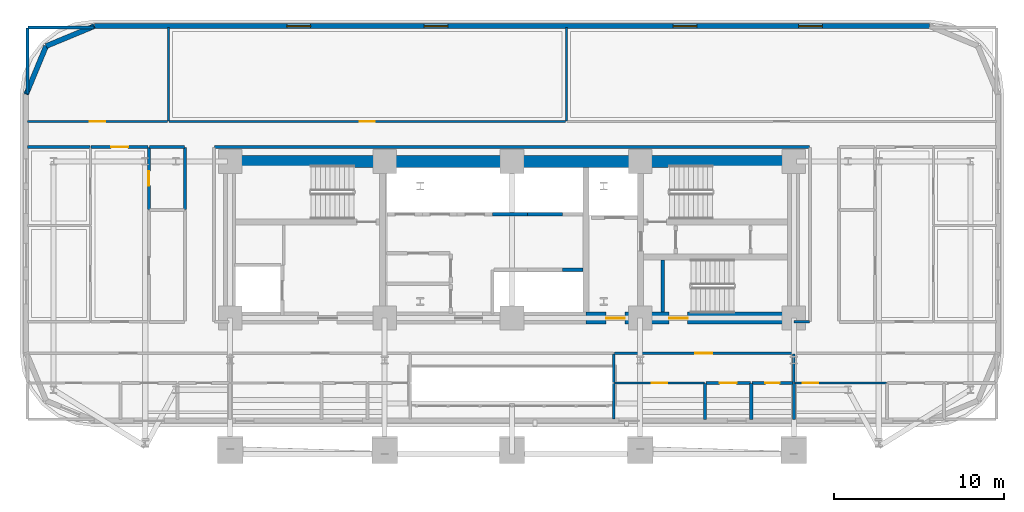
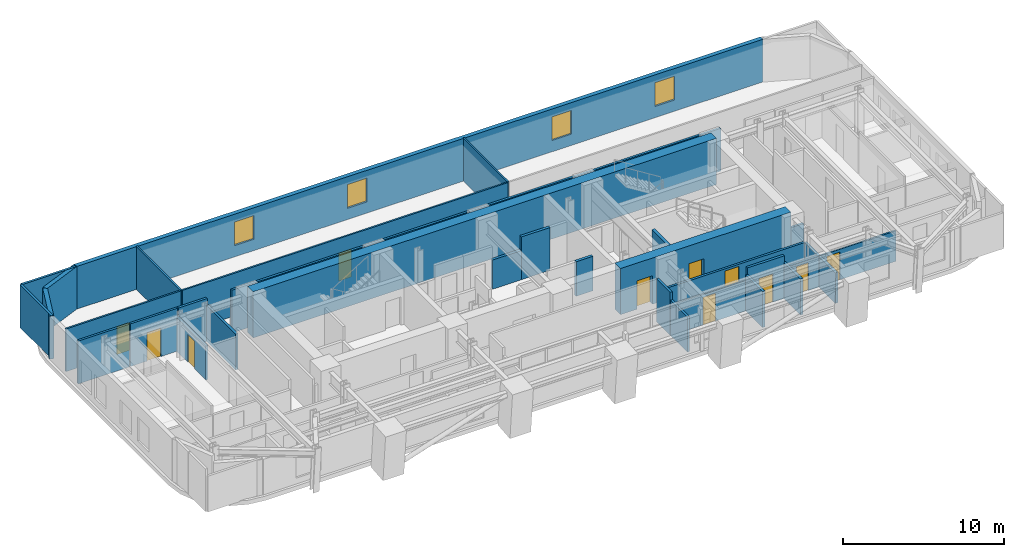
# One storey, part 9 of 15: 33 walls, 11 doors, 4 windows, 15 openings.
"""IFC4 building model written with IfcOpenShell, lengths in metres."""

from ifc_helpers import new_model, si_unit, direction, frame, frame_2d, origin, place, context, subcontext, project, spatial, rectangle, extrude, material, layer, layer_set, type_object, element, fill, save


model = new_model("IFC4")

# Units and contexts
model_context = context("Model", 3, precision=1e-05, world=origin(), true_north=direction((0.0, 1.0)))
body_context = subcontext(model_context, "Body", "Model", "MODEL_VIEW")
ifc_project = project(units=[si_unit("LENGTHUNIT", "METRE"), si_unit("AREAUNIT", "SQUARE_METRE"), si_unit("VOLUMEUNIT", "CUBIC_METRE"), si_unit("PLANEANGLEUNIT", "RADIAN"), si_unit("MASSUNIT", "GRAM", prefix="KILO")], contexts=[model_context])

# Site, building, storey
site_placement = place(None, origin())
site = spatial("IfcSite", under=ifc_project, at=site_placement, CompositionType="ELEMENT")
building_placement = place(site_placement, origin())
building = spatial("IfcBuilding", under=site, at=building_placement, Name="Zarnavel Station Tower", CompositionType="ELEMENT")
storey_placement = place(building_placement, frame((0.0, 0.0, 67.5)))
storey = spatial("IfcBuildingStorey", under=building, at=storey_placement, Name="L18", CompositionType="ELEMENT", Elevation=67.5)

# Wall
ifc_material_1 = material(Name="Concrete C60/75", Category="concrete")
ifc_layer_1 = layer(ifc_material_1, 0.699951171875)
ifc_layer_set_1 = layer_set([ifc_layer_1], Name="CW_700")
wall_type_1 = type_object("IfcWallType", Name="CW_700", PredefinedType="SHEAR", material=ifc_layer_set_1)
wall_1_placement = place(storey_placement, frame((12.14990234375, 37.050048828125, 0.0), z_axis=(0.0, 0.0, 1.0), x_axis=(1.0, 0.0, 0.0)))
element("IfcWall", 1, at=wall_1_placement, inside=storey, type_object=wall_type_1, Name="L18 Rear Core Shear Wall N", PredefinedType="SHEAR", context=body_context, shape_type="SweptSolid", body=[
    extrude(rectangle(XDim=33.22998046875, YDim=0.699951171875, at=frame_2d((16.614990234375, 0.0))), origin(), (0.0, 0.0, 1.0), 3.5),
])

# Wall, openings, doors
wall_2_placement = place(storey_placement, frame((45.3798828125, 27.820068359375, 0.0), z_axis=(0.0, 0.0, 1.0), x_axis=(-1.0, 0.0, 0.0)))
wall_2 = element("IfcWall", 2, at=wall_2_placement, inside=storey, type_object=wall_type_1, Name="L18 Rear Core Shear Wall S-E", PredefinedType="SHEAR", context=body_context, shape_type="SweptSolid", body=[
    extrude(rectangle(XDim=12.22998046875, YDim=0.699951171875, at=frame_2d((6.114990234375, 0.0))), origin(), (0.0, 0.0, 1.0), 3.5),
])
opening_1_placement = place(wall_2_placement, frame((9.929931640625, 0.0, 0.0)))
opening_1 = element("IfcOpeningElement", 3, at=opening_1_placement, cuts=wall_2, Name="Opening FD01", PredefinedType="OPENING", context=body_context, shape_type="SweptSolid", body=[
    extrude(rectangle(XDim=1.10009765625, YDim=2.14990234375, at=frame_2d((0.550048828125, 1.074951171875))), frame((0.0, 0.35986328125, 0.0), z_axis=(0.0, -1.0, 0.0), x_axis=(1.0, 0.0, 0.0)), (0.0, 0.0, 1.0), 0.719970703125),
])
opening_2_placement = place(wall_2_placement, frame((6.22998046875, 0.0, 0.0)))
opening_2 = element("IfcOpeningElement", 4, at=opening_2_placement, cuts=wall_2, Name="Opening FD01", PredefinedType="OPENING", context=body_context, shape_type="SweptSolid", body=[
    extrude(rectangle(XDim=1.10009765625, YDim=2.14990234375, at=frame_2d((0.550048828125, 1.074951171875))), frame((0.0, 0.35986328125, 0.0), z_axis=(0.0, -1.0, 0.0), x_axis=(1.0, 0.0, 0.0)), (0.0, 0.0, 1.0), 0.719970703125),
])
ifc_material_2 = material(Name="Painted Galvanised Steel and Hardwood Leaf", Category="steel")
door_type_1 = type_object("IfcDoorType", Name="ID_STAIR_1100", OperationType="NOTDEFINED", PredefinedType="DOOR", material=ifc_material_2)
door_1_placement = place(opening_1_placement, origin())
door_1 = element("IfcDoor", 5, at=door_1_placement, inside=storey, type_object=door_type_1, Name="L18 East Firefighting Lobby Door", OperationType="SINGLE_SWING_LEFT", OverallHeight=2.14990234375, OverallWidth=1.10009765625, PredefinedType="DOOR", context=body_context, shape_type="SweptSolid", body=[
    extrude(rectangle(XDim=1.10009765625, YDim=2.14990234375, at=frame_2d((0.550048828125, 1.074951171875))), frame((0.0, 0.02490234375, 0.0), z_axis=(0.0, -1.0, 0.0), x_axis=(1.0, 0.0, 0.0)), (0.0, 0.0, 1.0), 0.050048828125),
])
fill(opening_1, door_1)
door_2_placement = place(opening_2_placement, origin())
door_2 = element("IfcDoor", 6, at=door_2_placement, inside=storey, type_object=door_type_1, Name="L18 Stair ST3 Corridor Fire Door", OperationType="SINGLE_SWING_RIGHT", OverallHeight=2.14990234375, OverallWidth=1.10009765625, PredefinedType="DOOR", context=body_context, shape_type="SweptSolid", body=[
    extrude(rectangle(XDim=1.10009765625, YDim=2.14990234375, at=frame_2d((0.550048828125, 1.074951171875))), frame((0.0, 0.02490234375, 0.0), z_axis=(0.0, -1.0, 0.0), x_axis=(1.0, 0.0, 0.0)), (0.0, 0.0, 1.0), 0.050048828125),
])
fill(opening_2, door_2)

# Wall, openings, windows
ifc_material_3 = material(Name="Precast concrete C45/55 (Dark Basalt Finish)", Category="masonry")
ifc_layer_2 = layer(ifc_material_3, 0.300048828125)
ifc_layer_set_2 = layer_set([ifc_layer_2], Name="EW_BASALT_300")
wall_type_2 = type_object("IfcWallType", Name="EW_BASALT_300", PredefinedType="SOLIDWALL", material=ifc_layer_set_2)
wall_3_placement = place(storey_placement, frame((4.199951171875, 45.02001953125, 0.0), z_axis=(0.0, 0.0, 1.0), x_axis=(1.0, 0.0, 0.0)))
wall_3 = element("IfcWall", 7, at=wall_3_placement, inside=storey, type_object=wall_type_2, Name="L18 Exterior Basalt Masonry Frame Wall 06", PredefinedType="SOLIDWALL", context=body_context, shape_type="SweptSolid", body=[
    extrude(rectangle(XDim=49.199951171875, YDim=0.300048828125, at=frame_2d((24.60009765625, 0.0))), origin(), (0.0, 0.0, 1.0), 3.239990234375),
])
opening_3_placement = place(wall_3_placement, frame((11.340087890625, 0.0, 0.85009765625)))
opening_3 = element("IfcOpeningElement", 8, at=opening_3_placement, cuts=wall_3, Name="Opening WN01", PredefinedType="OPENING", context=body_context, shape_type="SweptSolid", body=[
    extrude(rectangle(XDim=1.39990234375, YDim=1.800048828125, at=frame_2d((0.699951171875, 0.89990234375))), frame((0.0, 0.159912109375, 0.0), z_axis=(0.0, -1.0, 0.0), x_axis=(1.0, 0.0, 0.0)), (0.0, 0.0, 1.0), 0.320068359375),
])
opening_4_placement = place(wall_3_placement, frame((19.419921875, 0.0, 0.85009765625)))
opening_4 = element("IfcOpeningElement", 9, at=opening_4_placement, cuts=wall_3, Name="Opening WN01", PredefinedType="OPENING", context=body_context, shape_type="SweptSolid", body=[
    extrude(rectangle(XDim=1.39990234375, YDim=1.800048828125, at=frame_2d((0.699951171875, 0.89990234375))), frame((0.0, 0.159912109375, 0.0), z_axis=(0.0, -1.0, 0.0), x_axis=(1.0, 0.0, 0.0)), (0.0, 0.0, 1.0), 0.320068359375),
])
opening_5_placement = place(wall_3_placement, frame((34.09326171875, 0.0, 0.85009765625)))
opening_5 = element("IfcOpeningElement", 10, at=opening_5_placement, cuts=wall_3, Name="Opening WN01", PredefinedType="OPENING", context=body_context, shape_type="SweptSolid", body=[
    extrude(rectangle(XDim=1.39990234375, YDim=1.800048828125, at=frame_2d((0.699951171875, 0.89990234375))), frame((0.0, 0.159912109375, 0.0), z_axis=(0.0, -1.0, 0.0), x_axis=(1.0, 0.0, 0.0)), (0.0, 0.0, 1.0), 0.320068359375),
])
opening_6_placement = place(wall_3_placement, frame((41.48681640625, 0.0, 0.85009765625)))
opening_6 = element("IfcOpeningElement", 11, at=opening_6_placement, cuts=wall_3, Name="Opening WN01", PredefinedType="OPENING", context=body_context, shape_type="SweptSolid", body=[
    extrude(rectangle(XDim=1.39990234375, YDim=1.800048828125, at=frame_2d((0.699951171875, 0.89990234375))), frame((0.0, 0.159912109375, 0.0), z_axis=(0.0, -1.0, 0.0), x_axis=(1.0, 0.0, 0.0)), (0.0, 0.0, 1.0), 0.320068359375),
])
ifc_material_4 = material(Name="Thermally Broken Black Aluminium and Low-E Dark Glass", Category="aluminium")
window_type = type_object("IfcWindowType", Name="WN_1400x1800", PartitioningType="DOUBLE_PANEL_VERTICAL", PredefinedType="WINDOW", material=ifc_material_4)
window_1_placement = place(opening_3_placement, origin())
window_1 = element("IfcWindow", 12, at=window_1_placement, inside=storey, type_object=window_type, Name="L18 Recessed Facade Window 01", OverallHeight=1.800048828125, OverallWidth=1.39990234375, PartitioningType="SINGLE_PANEL", PredefinedType="WINDOW", context=body_context, shape_type="SweptSolid", body=[
    extrude(rectangle(XDim=1.39990234375, YDim=1.800048828125, at=frame_2d((0.699951171875, 0.89990234375))), frame((0.0, 0.030029296875, 0.0), z_axis=(0.0, -1.0, 0.0), x_axis=(1.0, 0.0, 0.0)), (0.0, 0.0, 1.0), 0.06005859375),
])
fill(opening_3, window_1)
window_2_placement = place(opening_4_placement, origin())
window_2 = element("IfcWindow", 13, at=window_2_placement, inside=storey, type_object=window_type, Name="L18 Recessed Facade Window 02", OverallHeight=1.800048828125, OverallWidth=1.39990234375, PartitioningType="SINGLE_PANEL", PredefinedType="WINDOW", context=body_context, shape_type="SweptSolid", body=[
    extrude(rectangle(XDim=1.39990234375, YDim=1.800048828125, at=frame_2d((0.699951171875, 0.89990234375))), frame((0.0, 0.030029296875, 0.0), z_axis=(0.0, -1.0, 0.0), x_axis=(1.0, 0.0, 0.0)), (0.0, 0.0, 1.0), 0.06005859375),
])
fill(opening_4, window_2)
window_3_placement = place(opening_5_placement, origin())
window_3 = element("IfcWindow", 14, at=window_3_placement, inside=storey, type_object=window_type, Name="L18 Recessed Facade Window 03", OverallHeight=1.800048828125, OverallWidth=1.39990234375, PartitioningType="SINGLE_PANEL", PredefinedType="WINDOW", context=body_context, shape_type="SweptSolid", body=[
    extrude(rectangle(XDim=1.39990234375, YDim=1.800048828125, at=frame_2d((0.699951171875, 0.89990234375))), frame((0.0, 0.030029296875, 0.0), z_axis=(0.0, -1.0, 0.0), x_axis=(1.0, 0.0, 0.0)), (0.0, 0.0, 1.0), 0.06005859375),
])
fill(opening_5, window_3)
window_4_placement = place(opening_6_placement, origin())
window_4 = element("IfcWindow", 15, at=window_4_placement, inside=storey, type_object=window_type, Name="L18 Recessed Facade Window 04", OverallHeight=1.800048828125, OverallWidth=1.39990234375, PartitioningType="SINGLE_PANEL", PredefinedType="WINDOW", context=body_context, shape_type="SweptSolid", body=[
    extrude(rectangle(XDim=1.39990234375, YDim=1.800048828125, at=frame_2d((0.699951171875, 0.89990234375))), frame((0.0, 0.030029296875, 0.0), z_axis=(0.0, -1.0, 0.0), x_axis=(1.0, 0.0, 0.0)), (0.0, 0.0, 1.0), 0.06005859375),
])
fill(opening_6, window_4)

# Walls
for number, where, z_axis, x_axis, name in (
    (16, (1.357421875, 43.842529296875, 0.0), (0.0, 0.0, 1.0), (0.923870793506, 0.382704529509, 0.0), "L18 Exterior Basalt Masonry Frame Wall 07"),
    (17, (0.179931640625, 41.0, 0.0), (0.0, 0.0, 1.0), (0.382704529509, 0.923870793506, 0.0), "L18 Exterior Basalt Masonry Frame Wall 08"),
):
    element("IfcWall", number, at=place(storey_placement, frame(where, z_axis=z_axis, x_axis=x_axis)), inside=storey, type_object=wall_type_2, Name=name, PredefinedType="SOLIDWALL", context=body_context, shape_type="SweptSolid", body=[
        extrude(rectangle(XDim=3.07666015625, YDim=0.300048828125, at=frame_2d((1.538330078125, 0.0))), origin(), (0.0, 0.0, 1.0), 3.239990234375),
    ])

# Wall, opening, door
ifc_material_5 = material(Name="Gypsum Twin-Stud Acoustic Fire Partition", Category="concrete")
ifc_layer_3 = layer(ifc_material_5, 0.159912109375)
ifc_layer_set_3 = layer_set([ifc_layer_3], Name="PT_DEMISE_160")
wall_type_3 = type_object("IfcWallType", Name="PT_DEMISE_160", PredefinedType="PARTITIONING", material=ifc_layer_set_3)
wall_4_placement = place(storey_placement, frame((34.840087890625, 25.75, 0.0), z_axis=(0.0, 0.0, 1.0), x_axis=(1.0, 0.0, 0.0)))
wall_4 = element("IfcWall", 18, at=wall_4_placement, inside=storey, type_object=wall_type_3, Name="L18 Partition COR-S-UE1LV", PredefinedType="PARTITIONING", context=body_context, shape_type="SweptSolid", body=[
    extrude(rectangle(XDim=10.52001953125, YDim=0.159912109375, at=frame_2d((5.260009765625, 0.0))), origin(), (0.0, 0.0, 1.0), 2.31005859375),
])
opening_7_placement = place(wall_4_placement, frame((4.760009765625, 0.0, 0.0)))
opening_7 = element("IfcOpeningElement", 19, at=opening_7_placement, cuts=wall_4, Name="Opening FD02", PredefinedType="OPENING", context=body_context, shape_type="SweptSolid", body=[
    extrude(rectangle(XDim=1.0, YDim=2.14990234375, at=frame_2d((0.5, 1.074951171875))), frame((0.0, 0.08984375, 0.0), z_axis=(0.0, -1.0, 0.0), x_axis=(1.0, 0.0, 0.0)), (0.0, 0.0, 1.0), 0.179931640625),
])
ifc_material_6 = material(Name="Painted Galvanised Steel and Hardwood Leaf", Category="steel")
door_type_2 = type_object("IfcDoorType", Name="ID_ENTRY_1000", OperationType="NOTDEFINED", PredefinedType="DOOR", material=ifc_material_6)
door_3_placement = place(opening_7_placement, origin())
door_3 = element("IfcDoor", 20, at=door_3_placement, inside=storey, type_object=door_type_2, Name="L18 Door COR-S-UE1LV", OperationType="SINGLE_SWING_RIGHT", OverallHeight=2.14990234375, OverallWidth=1.0, PredefinedType="DOOR", context=body_context, shape_type="SweptSolid", body=[
    extrude(rectangle(XDim=1.0, YDim=2.14990234375, at=frame_2d((0.5, 1.074951171875))), frame((0.0, 0.02490234375, 0.0), z_axis=(0.0, -1.0, 0.0), x_axis=(1.0, 0.0, 0.0)), (0.0, 0.0, 1.0), 0.050048828125),
])
fill(opening_7, door_3)

wall_5_placement = place(storey_placement, frame((4.01611328125, 37.89990234375, 0.0), z_axis=(0.0, 0.0, 1.0), x_axis=(1.0, 0.0, 0.0)))
wall_5 = element("IfcWall", 21, at=wall_5_placement, inside=storey, type_object=wall_type_3, Name="L18 Partition COR-N-FNWLV", PredefinedType="PARTITIONING", context=body_context, shape_type="SweptSolid", body=[
    extrude(rectangle(XDim=3.35693359375, YDim=0.159912109375, at=frame_2d((1.678466796875, 0.0))), origin(), (0.0, 0.0, 1.0), 3.239990234375),
])
opening_8_placement = place(wall_5_placement, frame((1.178466796875, 0.0, 0.0)))
opening_8 = element("IfcOpeningElement", 22, at=opening_8_placement, cuts=wall_5, Name="Opening FD02", PredefinedType="OPENING", context=body_context, shape_type="SweptSolid", body=[
    extrude(rectangle(XDim=1.0, YDim=2.14990234375, at=frame_2d((0.5, 1.074951171875))), frame((0.0, 0.08984375, 0.0), z_axis=(0.0, -1.0, 0.0), x_axis=(1.0, 0.0, 0.0)), (0.0, 0.0, 1.0), 0.179931640625),
])
door_4_placement = place(opening_8_placement, origin())
door_4 = element("IfcDoor", 23, at=door_4_placement, inside=storey, type_object=door_type_2, Name="L18 Door COR-N-FNWLV", OperationType="SINGLE_SWING_RIGHT", OverallHeight=2.14990234375, OverallWidth=1.0, PredefinedType="DOOR", context=body_context, shape_type="SweptSolid", body=[
    extrude(rectangle(XDim=1.0, YDim=2.14990234375, at=frame_2d((0.5, 1.074951171875))), frame((0.0, 0.02490234375, 0.0), z_axis=(0.0, -1.0, 0.0), x_axis=(1.0, 0.0, 0.0)), (0.0, 0.0, 1.0), 0.050048828125),
])
fill(opening_8, door_4)

# Walls
wall_6_placement = place(storey_placement, frame((0.260009765625, 37.89990234375, 0.0), z_axis=(0.0, 0.0, 1.0), x_axis=(1.0, 0.0, 0.0)))
element("IfcWall", 24, at=wall_6_placement, inside=storey, type_object=wall_type_3, Name="L18 Partition COR-N-FNWB2", PredefinedType="PARTITIONING", context=body_context, shape_type="SweptSolid", body=[
    extrude(rectangle(XDim=3.676025390625, YDim=0.159912109375, at=frame_2d((1.837890625, 0.0))), origin(), (0.0, 0.0, 1.0), 3.239990234375),
])
wall_7_placement = place(storey_placement, frame((45.39990234375, 24.0400390625, 0.0), z_axis=(0.0, 0.0, 1.0), x_axis=(0.0, 1.0, 0.0)))
element("IfcWall", 25, at=wall_7_placement, inside=storey, type_object=wall_type_3, Name="L18 Partition UE1LV-UE2LV", PredefinedType="PARTITIONING", context=body_context, shape_type="SweptSolid", body=[
    extrude(rectangle(XDim=1.669921875, YDim=0.159912109375, at=frame_2d((0.8349609375, 0.0))), origin(), (0.0, 0.0, 1.0), 2.31005859375),
])
wall_8_placement = place(storey_placement, frame((45.409912109375, 27.60009765625, 0.0), z_axis=(0.0, 0.0, 1.0), x_axis=(1.0, 0.0, 0.0)))
element("IfcWall", 26, at=wall_8_placement, inside=storey, type_object=wall_type_3, Name="L18 Enclosure Wall COR-S", PredefinedType="PARTITIONING", context=body_context, shape_type="SweptSolid", body=[
    extrude(rectangle(XDim=0.91015625, YDim=0.159912109375, at=frame_2d((0.455078125, 0.0))), origin(), (0.0, 0.0, 1.0), 2.280029296875),
])
wall_9_placement = place(storey_placement, frame((11.280029296875, 37.89990234375, 0.0), z_axis=(0.0, 0.0, 1.0), x_axis=(1.0, 0.0, 0.0)))
element("IfcWall", 27, at=wall_9_placement, inside=storey, type_object=wall_type_3, Name="L18 Enclosure Wall COR-N", PredefinedType="PARTITIONING", context=body_context, shape_type="SweptSolid", body=[
    extrude(rectangle(XDim=35.0400390625, YDim=0.159912109375, at=frame_2d((17.52001953125, 0.0))), origin(), (0.0, 0.0, 1.0), 3.239990234375),
])
for number, where, z_axis, x_axis, name in (
    (28, (0.2900390625, 44.93994140625, 0.0), (0.0, 0.0, 1.0), (1.0, 0.0, 0.0), "L18 Enclosure Wall HSKP"),
    (29, (0.260009765625, 41.030029296875, 0.0), (0.0, 0.0, 1.0), (0.0, 1.0, 0.0), "L18 Enclosure Wall HSKP"),
):
    element("IfcWall", number, at=place(storey_placement, frame(where, z_axis=z_axis, x_axis=x_axis)), inside=storey, type_object=wall_type_3, Name=name, PredefinedType="PARTITIONING", context=body_context, shape_type="SweptSolid", body=[
        extrude(rectangle(XDim=3.8798828125, YDim=0.159912109375, at=frame_2d((1.93994140625, 0.0))), origin(), (0.0, 0.0, 1.0), 3.239990234375),
    ])
wall_10_placement = place(storey_placement, frame((34.800048828125, 24.030029296875, 0.0), z_axis=(0.0, 0.0, 1.0), x_axis=(0.0, 1.0, 0.0)))
element("IfcWall", 30, at=wall_10_placement, inside=storey, type_object=wall_type_3, Name="L18 Enclosure Wall UE1LV", PredefinedType="PARTITIONING", context=body_context, shape_type="SweptSolid", body=[
    extrude(rectangle(XDim=1.68994140625, YDim=0.159912109375, at=frame_2d((0.844970703125, 0.0))), origin(), (0.0, 0.0, 1.0), 3.239990234375),
])
wall_11_placement = place(storey_placement, frame((34.800048828125, 21.889892578125, 0.0), z_axis=(0.0, 0.0, 1.0), x_axis=(0.0, 1.0, 0.0)))
element("IfcWall", 31, at=wall_11_placement, inside=storey, type_object=wall_type_3, Name="L18 Enclosure Wall UE1B1", PredefinedType="PARTITIONING", context=body_context, shape_type="SweptSolid", body=[
    extrude(rectangle(XDim=2.080078125, YDim=0.159912109375, at=frame_2d((1.0400390625, 0.0))), origin(), (0.0, 0.0, 1.0), 2.679931640625),
])

# Wall, opening, door
ifc_material_7 = material(Name="Gypsum Metal-Stud Interior Partition", Category="concrete")
ifc_layer_4 = layer(ifc_material_7, 0.1201171875)
ifc_layer_set_4 = layer_set([ifc_layer_4], Name="PT_ROOM_120")
wall_type_4 = type_object("IfcWallType", Name="PT_ROOM_120", PredefinedType="PARTITIONING", material=ifc_layer_set_4)
wall_12_placement = place(storey_placement, frame((0.260009765625, 39.39990234375, 0.0), z_axis=(0.0, 0.0, 1.0), x_axis=(1.0, 0.0, 0.0)))
wall_12 = element("IfcWall", 32, at=wall_12_placement, inside=storey, type_object=wall_type_4, Name="L18 Partition COR-N-HSKP", PredefinedType="PARTITIONING", context=body_context, shape_type="SweptSolid", body=[
    extrude(rectangle(XDim=8.260009765625, YDim=0.1201171875, at=frame_2d((4.1298828125, 0.0))), origin(), (0.0, 0.0, 1.0), 3.239990234375),
])
opening_9_placement = place(wall_12_placement, frame((3.679931640625, 0.0, 0.0)))
opening_9 = element("IfcOpeningElement", 33, at=opening_9_placement, cuts=wall_12, Name="Opening ID01", PredefinedType="OPENING", context=body_context, shape_type="SweptSolid", body=[
    extrude(rectangle(XDim=0.89990234375, YDim=2.10009765625, at=frame_2d((0.449951171875, 1.050048828125))), frame((0.0, 0.070068359375, 0.0), z_axis=(0.0, -1.0, 0.0), x_axis=(1.0, 0.0, 0.0)), (0.0, 0.0, 1.0), 0.14013671875),
])
ifc_material_8 = material(Name="Painted Galvanised Steel and Hardwood Leaf", Category="steel")
door_type_3 = type_object("IfcDoorType", Name="ID_ROOM_900", OperationType="NOTDEFINED", PredefinedType="DOOR", material=ifc_material_8)
door_5_placement = place(opening_9_placement, origin())
door_5 = element("IfcDoor", 34, at=door_5_placement, inside=storey, type_object=door_type_3, Name="L18 Door COR-N-HSKP", OperationType="SINGLE_SWING_RIGHT", OverallHeight=2.10009765625, OverallWidth=0.89990234375, PredefinedType="DOOR", context=body_context, shape_type="SweptSolid", body=[
    extrude(rectangle(XDim=0.89990234375, YDim=2.10009765625, at=frame_2d((0.449951171875, 1.050048828125))), frame((0.0, 0.02490234375, 0.0), z_axis=(0.0, -1.0, 0.0), x_axis=(1.0, 0.0, 0.0)), (0.0, 0.0, 1.0), 0.050048828125),
])
fill(opening_9, door_5)

wall_13_placement = place(storey_placement, frame((8.60009765625, 39.39990234375, 0.0), z_axis=(0.0, 0.0, 1.0), x_axis=(1.0, 0.0, 0.0)))
wall_13 = element("IfcWall", 35, at=wall_13_placement, inside=storey, type_object=wall_type_4, Name="L18 Partition COR-N-NL5A", PredefinedType="PARTITIONING", context=body_context, shape_type="SweptSolid", body=[
    extrude(rectangle(XDim=23.35986328125, YDim=0.1201171875, at=frame_2d((11.679931640625, 0.0))), origin(), (0.0, 0.0, 1.0), 3.239990234375),
])
opening_10_placement = place(wall_13_placement, frame((11.22998046875, 0.0, 0.0)))
opening_10 = element("IfcOpeningElement", 36, at=opening_10_placement, cuts=wall_13, Name="Opening ID01", PredefinedType="OPENING", context=body_context, shape_type="SweptSolid", body=[
    extrude(rectangle(XDim=0.89990234375, YDim=2.10009765625, at=frame_2d((0.449951171875, 1.050048828125))), frame((0.0, 0.070068359375, 0.0), z_axis=(0.0, -1.0, 0.0), x_axis=(1.0, 0.0, 0.0)), (0.0, 0.0, 1.0), 0.14013671875),
])
door_6_placement = place(opening_10_placement, origin())
door_6 = element("IfcDoor", 37, at=door_6_placement, inside=storey, type_object=door_type_3, Name="L18 Door COR-N-NL5A", OperationType="SINGLE_SWING_LEFT", OverallHeight=2.10009765625, OverallWidth=0.89990234375, PredefinedType="DOOR", context=body_context, shape_type="SweptSolid", body=[
    extrude(rectangle(XDim=0.89990234375, YDim=2.10009765625, at=frame_2d((0.449951171875, 1.050048828125))), frame((0.0, 0.02490234375, 0.0), z_axis=(0.0, -1.0, 0.0), x_axis=(1.0, 0.0, 0.0)), (0.0, 0.0, 1.0), 0.050048828125),
])
fill(opening_10, door_6)

# Walls
for number, where, z_axis, x_axis, name in (
    (38, (8.56005859375, 39.43994140625, 0.0), (0.0, 0.0, 1.0), (0.0, 1.0, 0.0), "L18 Partition HSKP-NL5A"),
    (39, (32.0, 39.43994140625, 0.0), (0.0, 0.0, 1.0), (0.0, 1.0, 0.0), "L18 Partition NL5A-NL5B"),
):
    element("IfcWall", number, at=place(storey_placement, frame(where, z_axis=z_axis, x_axis=x_axis)), inside=storey, type_object=wall_type_4, Name=name, PredefinedType="PARTITIONING", context=body_context, shape_type="SweptSolid", body=[
        extrude(rectangle(XDim=5.5, YDim=0.1201171875, at=frame_2d((2.75, 0.0))), origin(), (0.0, 0.0, 1.0), 3.239990234375),
    ])

# Wall, opening, door
wall_14_placement = place(storey_placement, frame((34.840087890625, 24.0, 0.0), z_axis=(0.0, 0.0, 1.0), x_axis=(1.0, 0.0, 0.0)))
wall_14 = element("IfcWall", 40, at=wall_14_placement, inside=storey, type_object=wall_type_4, Name="L18 Partition UE1LV-UE1B1", PredefinedType="PARTITIONING", context=body_context, shape_type="SweptSolid", body=[
    extrude(rectangle(XDim=5.2939453125, YDim=0.1201171875, at=frame_2d((2.64697265625, 0.0))), origin(), (0.0, 0.0, 1.0), 2.31005859375),
])
opening_11_placement = place(wall_14_placement, frame((2.197021484375, 0.0, 0.0)))
opening_11 = element("IfcOpeningElement", 41, at=opening_11_placement, cuts=wall_14, Name="Opening ID01", PredefinedType="OPENING", context=body_context, shape_type="SweptSolid", body=[
    extrude(rectangle(XDim=0.89990234375, YDim=2.10009765625, at=frame_2d((0.449951171875, 1.050048828125))), frame((0.0, 0.070068359375, 0.0), z_axis=(0.0, -1.0, 0.0), x_axis=(1.0, 0.0, 0.0)), (0.0, 0.0, 1.0), 0.14013671875),
])
door_7_placement = place(opening_11_placement, origin())
door_7 = element("IfcDoor", 42, at=door_7_placement, inside=storey, type_object=door_type_3, Name="L18 Door UE1LV-UE1B1", OperationType="SINGLE_SWING_LEFT", OverallHeight=2.10009765625, OverallWidth=0.89990234375, PredefinedType="DOOR", context=body_context, shape_type="SweptSolid", body=[
    extrude(rectangle(XDim=0.89990234375, YDim=2.10009765625, at=frame_2d((0.449951171875, 1.050048828125))), frame((0.0, 0.02490234375, 0.0), z_axis=(0.0, -1.0, 0.0), x_axis=(1.0, 0.0, 0.0)), (0.0, 0.0, 1.0), 0.050048828125),
])
fill(opening_11, door_7)

wall_15_placement = place(storey_placement, frame((45.43994140625, 24.0, 0.0), z_axis=(0.0, 0.0, 1.0), x_axis=(1.0, 0.0, 0.0)))
wall_15 = element("IfcWall", 43, at=wall_15_placement, inside=storey, type_object=wall_type_4, Name="L18 Partition UE2LV-UE2B1", PredefinedType="PARTITIONING", context=body_context, shape_type="SweptSolid", body=[
    extrude(rectangle(XDim=5.412109375, YDim=0.1201171875, at=frame_2d((2.7060546875, 0.0))), origin(), (0.0, 0.0, 1.0), 2.31005859375),
])
opening_12_placement = place(wall_15_placement, frame((0.49267578125, 0.0, 0.0)))
opening_12 = element("IfcOpeningElement", 44, at=opening_12_placement, cuts=wall_15, Name="Opening ID01", PredefinedType="OPENING", context=body_context, shape_type="SweptSolid", body=[
    extrude(rectangle(XDim=0.89990234375, YDim=2.10009765625, at=frame_2d((0.449951171875, 1.050048828125))), frame((0.0, 0.070068359375, 0.0), z_axis=(0.0, -1.0, 0.0), x_axis=(1.0, 0.0, 0.0)), (0.0, 0.0, 1.0), 0.14013671875),
])
door_8_placement = place(opening_12_placement, origin())
door_8 = element("IfcDoor", 45, at=door_8_placement, inside=storey, type_object=door_type_3, Name="L18 Door UE2LV-UE2B1", OperationType="SINGLE_SWING_RIGHT", OverallHeight=2.10009765625, OverallWidth=0.89990234375, PredefinedType="DOOR", context=body_context, shape_type="SweptSolid", body=[
    extrude(rectangle(XDim=0.89990234375, YDim=2.10009765625, at=frame_2d((0.449951171875, 1.050048828125))), frame((0.0, 0.02490234375, 0.0), z_axis=(0.0, -1.0, 0.0), x_axis=(1.0, 0.0, 0.0)), (0.0, 0.0, 1.0), 0.050048828125),
])
fill(opening_12, door_8)

# Walls
ifc_material_9 = material(Name="Precast concrete C45/55 (Fire Shaft Blockwork)", Category="masonry")
ifc_layer_5 = layer(ifc_material_9, 0.199951171875)
ifc_layer_set_5 = layer_set([ifc_layer_5], Name="PT_SHAFT_200")
wall_type_5 = type_object("IfcWallType", Name="PT_SHAFT_200", PredefinedType="PARTITIONING", material=ifc_layer_set_5)
wall_16_placement = place(storey_placement, frame((31.77490234375, 30.669921875, 0.0), z_axis=(0.0, 0.0, 1.0), x_axis=(1.0, 0.0, 0.0)))
element("IfcWall", 46, at=wall_16_placement, inside=storey, type_object=wall_type_5, Name="L18 Lift PL-H3 Shaft Front Wall", PredefinedType="PARTITIONING", context=body_context, shape_type="SweptSolid", body=[
    extrude(rectangle(XDim=1.2001953125, YDim=0.199951171875, at=frame_2d((0.60009765625, 0.0))), origin(), (0.0, 0.0, 1.0), 2.6201171875),
])
wall_17_placement = place(storey_placement, frame((27.64990234375, 33.929931640625, 0.0), z_axis=(0.0, 0.0, 1.0), x_axis=(1.0, 0.0, 0.0)))
element("IfcWall", 47, at=wall_17_placement, inside=storey, type_object=wall_type_5, Name="L18 Lift PL-M1 Shaft Front Wall", PredefinedType="PARTITIONING", context=body_context, shape_type="SweptSolid", body=[
    extrude(rectangle(XDim=2.0751953125, YDim=0.199951171875, at=frame_2d((1.03759765625, 0.0))), origin(), (0.0, 0.0, 1.0), 2.2119140625),
])
wall_18_placement = place(storey_placement, frame((29.72509765625, 33.929931640625, 0.0), z_axis=(0.0, 0.0, 1.0), x_axis=(1.0, 0.0, 0.0)))
element("IfcWall", 48, at=wall_18_placement, inside=storey, type_object=wall_type_5, Name="L18 Lift PL-M2 Shaft Front Wall", PredefinedType="PARTITIONING", context=body_context, shape_type="SweptSolid", body=[
    extrude(rectangle(XDim=2.0498046875, YDim=0.199951171875, at=frame_2d((1.02490234375, 0.0))), origin(), (0.0, 0.0, 1.0), 3.239990234375),
])
wall_19_placement = place(storey_placement, frame((37.679931640625, 28.169921875, 0.0), z_axis=(0.0, 0.0, 1.0), x_axis=(0.0, 1.0, 0.0)))
element("IfcWall", 49, at=wall_19_placement, inside=storey, type_object=wall_type_5, Name="L18 Stair ST3 West Shaft Wall", PredefinedType="PARTITIONING", context=body_context, shape_type="SweptSolid", body=[
    extrude(rectangle(XDim=3.080078125, YDim=0.199951171875, at=frame_2d((1.5400390625, 0.0))), origin(), (0.0, 0.0, 1.0), 2.6201171875),
])
ifc_material_10 = material(Name="Moisture-Resistant Plumbing Chase Wall", Category="concrete")
ifc_layer_6 = layer(ifc_material_10, 0.179931640625)
ifc_layer_set_6 = layer_set([ifc_layer_6], Name="PW_PLUMB_180")
wall_type_6 = type_object("IfcWallType", Name="PW_PLUMB_180", PredefinedType="PLUMBINGWALL", material=ifc_layer_set_6)
wall_20_placement = place(storey_placement, frame((9.550048828125, 34.23193359375, 0.0), z_axis=(0.0, 0.0, 1.0), x_axis=(0.0, 1.0, 0.0)))
element("IfcWall", 50, at=wall_20_placement, inside=storey, type_object=wall_type_6, Name="L18 Partition COR-W-FNWBA", PredefinedType="PLUMBINGWALL", context=body_context, shape_type="SweptSolid", body=[
    extrude(rectangle(XDim=3.628173828125, YDim=0.179931640625, at=frame_2d((1.81396484375, 0.0))), origin(), (0.0, 0.0, 1.0), 2.719970703125),
])
wall_21_placement = place(storey_placement, frame((7.452880859375, 37.89990234375, 0.0), z_axis=(0.0, 0.0, 1.0), x_axis=(1.0, 0.0, 0.0)))
element("IfcWall", 51, at=wall_21_placement, inside=storey, type_object=wall_type_6, Name="L18 Partition COR-N-FNWBA", PredefinedType="PLUMBINGWALL", context=body_context, shape_type="SweptSolid", body=[
    extrude(rectangle(XDim=2.05712890625, YDim=0.179931640625, at=frame_2d((1.028564453125, 0.0))), origin(), (0.0, 0.0, 1.0), 3.239990234375),
])

# Wall, opening, door
wall_22_placement = place(storey_placement, frame((7.4130859375, 34.23193359375, 0.0), z_axis=(0.0, 0.0, 1.0), x_axis=(0.0, 1.0, 0.0)))
wall_22 = element("IfcWall", 52, at=wall_22_placement, inside=storey, type_object=wall_type_6, Name="L18 Partition FNWLV-FNWBA", PredefinedType="PLUMBINGWALL", context=body_context, shape_type="SweptSolid", body=[
    extrude(rectangle(XDim=3.628173828125, YDim=0.179931640625, at=frame_2d((1.81396484375, 0.0))), origin(), (0.0, 0.0, 1.0), 2.570068359375),
])
opening_13_placement = place(wall_22_placement, frame((1.388916015625, 0.0, 0.0)))
opening_13 = element("IfcOpeningElement", 53, at=opening_13_placement, cuts=wall_22, Name="Opening ID02", PredefinedType="OPENING", context=body_context, shape_type="SweptSolid", body=[
    extrude(rectangle(XDim=0.85009765625, YDim=2.10009765625, at=frame_2d((0.425048828125, 1.050048828125))), frame((0.0, 0.099853515625, 0.0), z_axis=(0.0, -1.0, 0.0), x_axis=(1.0, 0.0, 0.0)), (0.0, 0.0, 1.0), 0.199951171875),
])
ifc_material_11 = material(Name="Painted Galvanised Steel and Hardwood Leaf", Category="steel")
door_type_4 = type_object("IfcDoorType", Name="ID_BATH_850", OperationType="NOTDEFINED", PredefinedType="DOOR", material=ifc_material_11)
door_9_placement = place(opening_13_placement, origin())
door_9 = element("IfcDoor", 54, at=door_9_placement, inside=storey, type_object=door_type_4, Name="L18 Door FNWLV-FNWBA", OperationType="SINGLE_SWING_RIGHT", OverallHeight=2.10009765625, OverallWidth=0.85009765625, PredefinedType="DOOR", context=body_context, shape_type="SweptSolid", body=[
    extrude(rectangle(XDim=0.85009765625, YDim=2.10009765625, at=frame_2d((0.425048828125, 1.050048828125))), frame((0.0, 0.02490234375, 0.0), z_axis=(0.0, -1.0, 0.0), x_axis=(1.0, 0.0, 0.0)), (0.0, 0.0, 1.0), 0.050048828125),
])
fill(opening_13, door_9)

wall_23_placement = place(storey_placement, frame((40.214111328125, 24.0, 0.0), z_axis=(0.0, 0.0, 1.0), x_axis=(1.0, 0.0, 0.0)))
wall_23 = element("IfcWall", 55, at=wall_23_placement, inside=storey, type_object=wall_type_6, Name="L18 Partition UE1LV-UE1KT", PredefinedType="PLUMBINGWALL", context=body_context, shape_type="SweptSolid", body=[
    extrude(rectangle(XDim=2.637939453125, YDim=0.179931640625, at=frame_2d((1.31884765625, 0.0))), origin(), (0.0, 0.0, 1.0), 3.239990234375),
])
opening_14_placement = place(wall_23_placement, frame((0.819091796875, 0.0, 0.0)))
opening_14 = element("IfcOpeningElement", 56, at=opening_14_placement, cuts=wall_23, Name="Opening FD02", PredefinedType="OPENING", context=body_context, shape_type="SweptSolid", body=[
    extrude(rectangle(XDim=1.0, YDim=2.14990234375, at=frame_2d((0.5, 1.074951171875))), frame((0.0, 0.099853515625, 0.0), z_axis=(0.0, -1.0, 0.0), x_axis=(1.0, 0.0, 0.0)), (0.0, 0.0, 1.0), 0.199951171875),
])
door_10_placement = place(opening_14_placement, origin())
door_10 = element("IfcDoor", 57, at=door_10_placement, inside=storey, type_object=door_type_2, Name="L18 Door UE1LV-UE1KT", OperationType="SINGLE_SWING_RIGHT", OverallHeight=2.14990234375, OverallWidth=1.0, PredefinedType="DOOR", context=body_context, shape_type="SweptSolid", body=[
    extrude(rectangle(XDim=1.0, YDim=2.14990234375, at=frame_2d((0.5, 1.074951171875))), frame((0.0, 0.02490234375, 0.0), z_axis=(0.0, -1.0, 0.0), x_axis=(1.0, 0.0, 0.0)), (0.0, 0.0, 1.0), 0.050048828125),
])
fill(opening_14, door_10)

wall_24_placement = place(storey_placement, frame((42.931884765625, 24.0, 0.0), z_axis=(0.0, 0.0, 1.0), x_axis=(1.0, 0.0, 0.0)))
wall_24 = element("IfcWall", 58, at=wall_24_placement, inside=storey, type_object=wall_type_6, Name="L18 Partition UE1LV-UE1BA", PredefinedType="PLUMBINGWALL", context=body_context, shape_type="SweptSolid", body=[
    extrude(rectangle(XDim=2.42822265625, YDim=0.179931640625, at=frame_2d((1.214111328125, 0.0))), origin(), (0.0, 0.0, 1.0), 2.31005859375),
])
opening_15_placement = place(wall_24_placement, frame((0.7890625, 0.0, 0.0)))
opening_15 = element("IfcOpeningElement", 59, at=opening_15_placement, cuts=wall_24, Name="Opening ID02", PredefinedType="OPENING", context=body_context, shape_type="SweptSolid", body=[
    extrude(rectangle(XDim=0.85009765625, YDim=2.10009765625, at=frame_2d((0.425048828125, 1.050048828125))), frame((0.0, 0.099853515625, 0.0), z_axis=(0.0, -1.0, 0.0), x_axis=(1.0, 0.0, 0.0)), (0.0, 0.0, 1.0), 0.199951171875),
])
door_11_placement = place(opening_15_placement, origin())
door_11 = element("IfcDoor", 60, at=door_11_placement, inside=storey, type_object=door_type_4, Name="L18 Door UE1LV-UE1BA", OperationType="SINGLE_SWING_LEFT", OverallHeight=2.10009765625, OverallWidth=0.85009765625, PredefinedType="DOOR", context=body_context, shape_type="SweptSolid", body=[
    extrude(rectangle(XDim=0.85009765625, YDim=2.10009765625, at=frame_2d((0.425048828125, 1.050048828125))), frame((0.0, 0.02490234375, 0.0), z_axis=(0.0, -1.0, 0.0), x_axis=(1.0, 0.0, 0.0)), (0.0, 0.0, 1.0), 0.050048828125),
])
fill(opening_15, door_11)

# Walls
for number, where, z_axis, x_axis, name in (
    (61, (40.174072265625, 21.860107421875, 0.0), (0.0, 0.0, 1.0), (0.0, 1.0, 0.0), "L18 Partition UE1B1-UE1KT"),
    (62, (42.89208984375, 21.860107421875, 0.0), (0.0, 0.0, 1.0), (0.0, 1.0, 0.0), "L18 Partition UE1KT-UE1BA"),
):
    element("IfcWall", number, at=place(storey_placement, frame(where, z_axis=z_axis, x_axis=x_axis)), inside=storey, type_object=wall_type_6, Name=name, PredefinedType="PLUMBINGWALL", context=body_context, shape_type="SweptSolid", body=[
        extrude(rectangle(XDim=2.099853515625, YDim=0.179931640625, at=frame_2d((1.0498046875, 0.0))), origin(), (0.0, 0.0, 1.0), 2.72998046875),
    ])
wall_25_placement = place(storey_placement, frame((45.39990234375, 21.860107421875, 0.0), z_axis=(0.0, 0.0, 1.0), x_axis=(0.0, 1.0, 0.0)))
element("IfcWall", 63, at=wall_25_placement, inside=storey, type_object=wall_type_6, Name="L18 Partition UE1BA-UE2B1", PredefinedType="PLUMBINGWALL", context=body_context, shape_type="SweptSolid", body=[
    extrude(rectangle(XDim=2.099853515625, YDim=0.179931640625, at=frame_2d((1.0498046875, 0.0))), origin(), (0.0, 0.0, 1.0), 2.31005859375),
])

save(model, "model.ifc")
